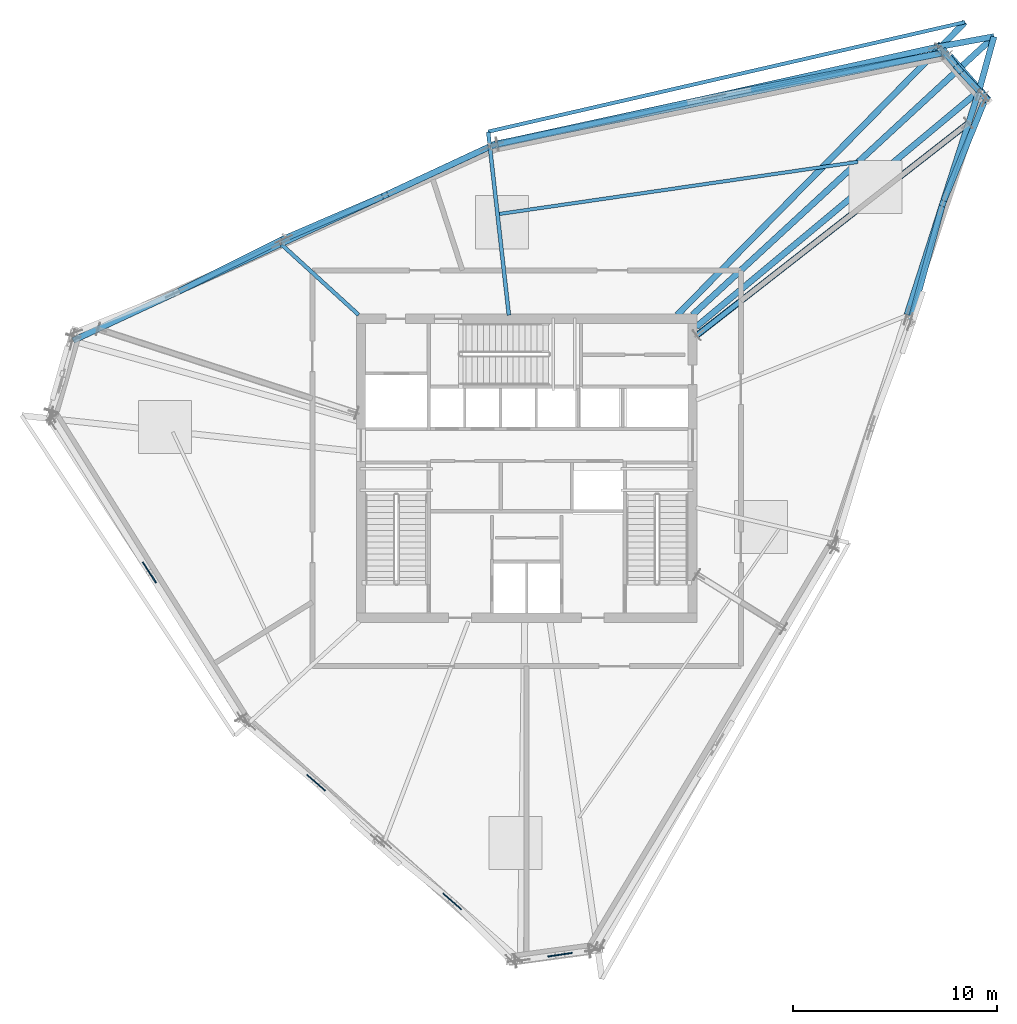
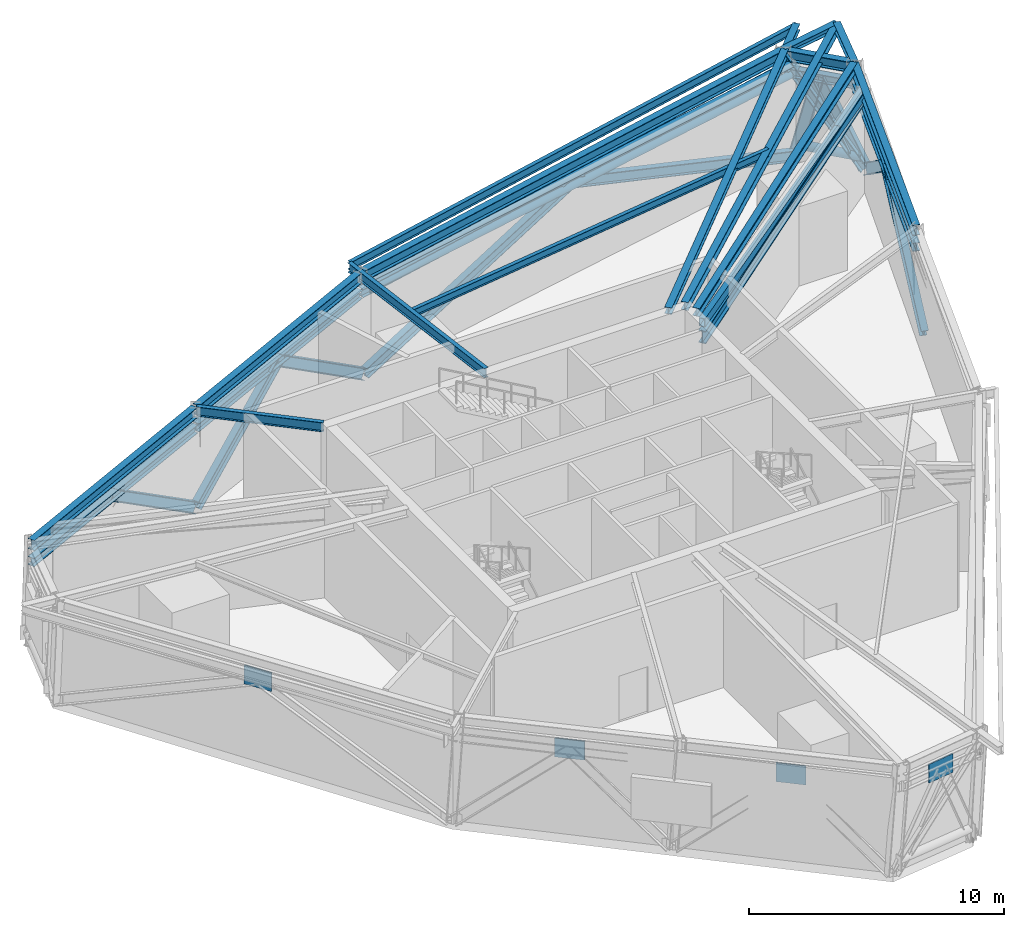
# One storey, part 3 of 15: 20 members, 14 beams, 4 plates.
"""IFC4 building model written with IfcOpenShell, lengths in metres."""

from ifc_helpers import new_model, si_unit, direction, frame, origin, origin_2d, place, context, subcontext, project, spatial, rectangle, hollow_rectangle, hollow_circle, i_section, extrude, source, transform, mapped, material, material_profile, profile_set, type_object, element, save


model = new_model("IFC4")

# Units and contexts
model_context = context("Model", 3, precision=1e-05, world=origin(), true_north=direction((0.0, 1.0)))
body_context = subcontext(model_context, "Body", "Model", "MODEL_VIEW")
ifc_project = project(units=[si_unit("LENGTHUNIT", "METRE"), si_unit("AREAUNIT", "SQUARE_METRE"), si_unit("VOLUMEUNIT", "CUBIC_METRE"), si_unit("PLANEANGLEUNIT", "RADIAN"), si_unit("MASSUNIT", "GRAM", prefix="KILO")], contexts=[model_context])

# Site, building, storey
site_placement = place(None, origin())
site = spatial("IfcSite", under=ifc_project, at=site_placement, CompositionType="ELEMENT")
building_placement = place(site_placement, origin())
building = spatial("IfcBuilding", under=site, at=building_placement, Name="Olszyna Solenne Hotel", CompositionType="ELEMENT")
storey_placement = place(building_placement, frame((0.0, 0.0, 204.300048828125)))
storey = spatial("IfcBuildingStorey", under=building, at=storey_placement, Name="L54", CompositionType="ELEMENT", Elevation=204.300048828125)

# Beams
ifc_material_1 = material(Name="Steel S355J2", Category="steel")
ifc_material_profile_1 = material_profile(ifc_material_1, i_section(OverallWidth=0.300048828125, OverallDepth=0.5, WebThickness=0.014404296875, FlangeThickness=0.028076171875, at=origin_2d()), Name="HEB 500", Category="load-bearing")
ifc_profile_set_1 = profile_set([ifc_material_profile_1], Name="Steel S355J2")
beam_type_1 = type_object("IfcBeamType", Name="BM-S3", PredefinedType="BEAM", material=ifc_profile_set_1)
shared_shape_1 = source(origin(), body_context, "Body", "SweptSolid", [
    extrude(i_section(OverallWidth=0.300048828125, OverallDepth=0.5, WebThickness=0.014404296875, FlangeThickness=0.028076171875, at=origin_2d()), origin(), (0.0, 0.0, 1.0), 2.825927734375),
])
beam_1_placement = place(storey_placement, frame((60.1181640625, 45.12353515625, 4.829833984375), z_axis=(-0.674961430816, 0.737853011724, 0.0), x_axis=(-0.737853011724, -0.674961430816, 0.0)))
element("IfcBeam", 1, at=beam_1_placement, inside=storey, type_object=beam_type_1, Name="Perimeter spandrel beam BM-S3 B-L54-1588", PredefinedType="BEAM", context=body_context, shape_type="MappedRepresentation", body=[
    mapped(shared_shape_1, transform((0.0, 0.0, 0.0), x_axis=(1.0, 0.0, 0.0), y_axis=(0.0, 1.0, 0.0), z_axis=(0.0, 0.0, 1.0), scale=1.0)),
])
shared_shape_2 = source(origin(), body_context, "Body", "SweptSolid", [
    extrude(i_section(OverallWidth=0.300048828125, OverallDepth=0.5, WebThickness=0.014404296875, FlangeThickness=0.028076171875, at=origin_2d()), origin(), (0.0, 0.0, 1.0), 22.419921875),
])
beam_2_placement = place(storey_placement, frame((58.111572265625, 47.239990234375, 4.829833984375), z_axis=(-0.976051842202, -0.217538045716, 0.0), x_axis=(0.217538045716, -0.976051842202, 0.0)))
element("IfcBeam", 2, at=beam_2_placement, inside=storey, type_object=beam_type_1, Name="Perimeter spandrel beam BM-S3 B-L54-1589", PredefinedType="BEAM", context=body_context, shape_type="MappedRepresentation", body=[
    mapped(shared_shape_2, transform((0.0, 0.0, 0.0), x_axis=(1.0, 0.0, 0.0), y_axis=(0.0, 1.0, 0.0), z_axis=(0.0, 0.0, 1.0), scale=1.0)),
])
shared_shape_3 = source(origin(), body_context, "Body", "SweptSolid", [
    extrude(i_section(OverallWidth=0.300048828125, OverallDepth=0.5, WebThickness=0.014404296875, FlangeThickness=0.028076171875, at=origin_2d()), origin(), (0.0, 0.0, 1.0), 11.149658203125),
])
beam_3_placement = place(storey_placement, frame((36.115478515625, 42.32421875, 4.829833984375), z_axis=(-0.906733378988, -0.421704374449, 0.0), x_axis=(0.421704374449, -0.906733378988, 0.0)))
element("IfcBeam", 3, at=beam_3_placement, inside=storey, type_object=beam_type_1, Name="Perimeter spandrel beam BM-S3 B-L54-1590", PredefinedType="BEAM", context=body_context, shape_type="MappedRepresentation", body=[
    mapped(shared_shape_3, transform((0.0, 0.0, 0.0), x_axis=(1.0, 0.0, 0.0), y_axis=(0.0, 1.0, 0.0), z_axis=(0.0, 0.0, 1.0), scale=1.0)),
])
shared_shape_4 = source(origin(), body_context, "Body", "SweptSolid", [
    extrude(i_section(OverallWidth=0.300048828125, OverallDepth=0.5, WebThickness=0.014404296875, FlangeThickness=0.028076171875, at=origin_2d()), origin(), (0.0, 0.0, 1.0), 11.14990234375),
])
beam_4_placement = place(storey_placement, frame((25.896728515625, 37.571533203125, 4.829833984375), z_axis=(-0.906737272824, -0.421696001964, 0.0), x_axis=(0.421696001964, -0.906737272824, 0.0)))
element("IfcBeam", 4, at=beam_4_placement, inside=storey, type_object=beam_type_1, Name="Perimeter spandrel beam BM-S3 B-L54-1591", PredefinedType="BEAM", context=body_context, shape_type="MappedRepresentation", body=[
    mapped(shared_shape_4, transform((0.0, 0.0, 0.0), x_axis=(1.0, 0.0, 0.0), y_axis=(0.0, 1.0, 0.0), z_axis=(0.0, 0.0, 1.0), scale=1.0)),
])
shared_shape_5 = source(origin(), body_context, "Body", "SweptSolid", [
    extrude(i_section(OverallWidth=0.300048828125, OverallDepth=0.5, WebThickness=0.014404296875, FlangeThickness=0.028076171875, at=origin_2d()), origin(), (0.0, 0.0, 1.0), 11.43115234375),
])
beam_5_placement = place(storey_placement, frame((56.6435546875, 34.138916015625, 4.829833984375), z_axis=(0.305899947773, 0.952063664863, 0.0), x_axis=(-0.952063664863, 0.305899947773, 0.0)))
element("IfcBeam", 5, at=beam_5_placement, inside=storey, type_object=beam_type_1, Name="Perimeter spandrel beam BM-S3 B-L54-1599", PredefinedType="BEAM", context=body_context, shape_type="MappedRepresentation", body=[
    mapped(shared_shape_5, transform((0.0, 0.0, 0.0), x_axis=(1.0, 0.0, 0.0), y_axis=(0.0, 1.0, 0.0), z_axis=(0.0, 0.0, 1.0), scale=1.0)),
])
ifc_material_profile_2 = material_profile(ifc_material_1, i_section(OverallWidth=0.300048828125, OverallDepth=0.389892578125, WebThickness=0.010986328125, FlangeThickness=0.01904296875, at=origin_2d()), Name="HEA 400", Category="load-bearing")
ifc_profile_set_2 = profile_set([ifc_material_profile_2], Name="Steel S355J2")
beam_type_2 = type_object("IfcBeamType", Name="BM-G2", PredefinedType="BEAM", material=ifc_profile_set_2)
shared_shape_6 = source(origin(), body_context, "Body", "SweptSolid", [
    extrude(i_section(OverallWidth=0.300048828125, OverallDepth=0.389892578125, WebThickness=0.010986328125, FlangeThickness=0.01904296875, at=origin_2d()), origin(), (0.0, 0.0, 1.0), 17.97021484375),
])
beam_6_placement = place(storey_placement, frame((60.112548828125, 45.040771484375, 4.885009765625), z_axis=(-0.767990716924, -0.640460973611, 0.0), x_axis=(0.640460973611, -0.767990716924, 0.0)))
element("IfcBeam", 6, at=beam_6_placement, inside=storey, type_object=beam_type_2, Name="Radial floor girder BM-G2 B-L54-1600", PredefinedType="BEAM", context=body_context, shape_type="MappedRepresentation", body=[
    mapped(shared_shape_6, transform((0.0, 0.0, 0.0), x_axis=(1.0, 0.0, 0.0), y_axis=(0.0, 1.0, 0.0), z_axis=(0.0, 0.0, 1.0), scale=1.0)),
])
shared_shape_7 = source(origin(), body_context, "Body", "SweptSolid", [
    extrude(i_section(OverallWidth=0.300048828125, OverallDepth=0.389892578125, WebThickness=0.010986328125, FlangeThickness=0.01904296875, at=origin_2d()), origin(), (0.0, 0.0, 1.0), 20.0810546875),
])
beam_7_placement = place(storey_placement, frame((60.8837890625, 47.73876953125, 4.885009765625), z_axis=(-0.73470928241, -0.678382097597, 0.0), x_axis=(0.678382097597, -0.73470928241, 0.0)))
element("IfcBeam", 7, at=beam_7_placement, inside=storey, type_object=beam_type_2, Name="Radial floor girder BM-G2 B-L54-1601", PredefinedType="BEAM", context=body_context, shape_type="MappedRepresentation", body=[
    mapped(shared_shape_7, transform((0.0, 0.0, 0.0), x_axis=(1.0, 0.0, 0.0), y_axis=(0.0, 1.0, 0.0), z_axis=(0.0, 0.0, 1.0), scale=1.0)),
])
ifc_material_profile_3 = material_profile(ifc_material_1, i_section(OverallWidth=0.18994140625, OverallDepth=0.449951171875, WebThickness=0.009521484375, FlangeThickness=0.0146484375, at=origin_2d()), Name="IPE 450", Category="load-bearing")
ifc_profile_set_3 = profile_set([ifc_material_profile_3], Name="Steel S355J2")
beam_type_3 = type_object("IfcBeamType", Name="BM-F4", PredefinedType="BEAM", material=ifc_profile_set_3)
shared_shape_8 = source(origin(), body_context, "Body", "SweptSolid", [
    extrude(i_section(OverallWidth=0.18994140625, OverallDepth=0.449951171875, WebThickness=0.009521484375, FlangeThickness=0.0146484375, at=origin_2d()), origin(), (0.0, 0.0, 1.0), 9.031005859375),
])
beam_8_placement = place(storey_placement, frame((36.1142578125, 43.07421875, 4.85498046875), z_axis=(0.112297639901, -0.993674614787, 0.0), x_axis=(0.993674614787, 0.112297639901, 0.0)))
element("IfcBeam", 8, at=beam_8_placement, inside=storey, type_object=beam_type_3, Name="Radial floor girder BM-F4 B-L54-1602", PredefinedType="BEAM", context=body_context, shape_type="MappedRepresentation", body=[
    mapped(shared_shape_8, transform((0.0, 0.0, 0.0), x_axis=(1.0, 0.0, 0.0), y_axis=(0.0, 1.0, 0.0), z_axis=(0.0, 0.0, 1.0), scale=1.0)),
])
shared_shape_9 = source(origin(), body_context, "Body", "SweptSolid", [
    extrude(i_section(OverallWidth=0.18994140625, OverallDepth=0.449951171875, WebThickness=0.009521484375, FlangeThickness=0.0146484375, at=origin_2d()), origin(), (0.0, 0.0, 1.0), 5.10302734375),
])
beam_9_placement = place(storey_placement, frame((25.99560546875, 37.556396484375, 4.85498046875), z_axis=(0.73859423995, -0.674150241944, 0.0), x_axis=(0.674150241944, 0.73859423995, 0.0)))
element("IfcBeam", 9, at=beam_9_placement, inside=storey, type_object=beam_type_3, Name="Radial floor girder BM-F4 B-L54-1603", PredefinedType="BEAM", context=body_context, shape_type="MappedRepresentation", body=[
    mapped(shared_shape_9, transform((0.0, 0.0, 0.0), x_axis=(1.0, 0.0, 0.0), y_axis=(0.0, 1.0, 0.0), z_axis=(0.0, 0.0, 1.0), scale=1.0)),
])
ifc_material_profile_4 = material_profile(ifc_material_1, i_section(OverallWidth=0.300048828125, OverallDepth=0.31005859375, WebThickness=0.009033203125, FlangeThickness=0.015380859375, at=origin_2d()), Name="HEA 320", Category="load-bearing")
ifc_profile_set_4 = profile_set([ifc_material_profile_4], Name="Steel S355J2")
beam_type_4 = type_object("IfcBeamType", Name="BM-G3", PredefinedType="BEAM", material=ifc_profile_set_4)
shared_shape_10 = source(origin(), body_context, "Body", "SweptSolid", [
    extrude(i_section(OverallWidth=0.300048828125, OverallDepth=0.31005859375, WebThickness=0.009033203125, FlangeThickness=0.015380859375, at=origin_2d()), origin(), (0.0, 0.0, 1.0), 2.773681640625),
])
for number, where, z_axis, x_axis, name in (
    (10, (60.15869140625, 45.0791015625, 4.925048828125), (0.26671305421, 0.963775983678, 0.0), (-0.963775983678, 0.26671305421, 0.0), "Prism side edge beam BM-G3 B-L54-1612"),
    (11, (58.170166015625, 47.2529296875, 4.925048828125), (0.983665053962, 0.180008504282, 0.0), (-0.180008504282, 0.983665053962, 0.0), "Prism side edge beam BM-G3 B-L54-1613"),
):
    element("IfcBeam", number, at=place(storey_placement, frame(where, z_axis=z_axis, x_axis=x_axis)), inside=storey, type_object=beam_type_4, Name=name, PredefinedType="BEAM", context=body_context, shape_type="MappedRepresentation", body=[
        mapped(shared_shape_10, transform((0.0, 0.0, 0.0), x_axis=(1.0, 0.0, 0.0), y_axis=(0.0, 1.0, 0.0), z_axis=(0.0, 0.0, 1.0), scale=1.0)),
    ])
shared_shape_11 = source(origin(), body_context, "Body", "SweptSolid", [
    extrude(i_section(OverallWidth=0.300048828125, OverallDepth=0.31005859375, WebThickness=0.009033203125, FlangeThickness=0.015380859375, at=origin_2d()), origin(), (0.0, 0.0, 1.0), 20.11279296875),
])
beam_10_placement = place(storey_placement, frame((59.478515625, 48.461181640625, 4.925048828125), z_axis=(-0.70083389387, -0.713324507643, 0.0), x_axis=(0.713324507643, -0.70083389387, 0.0)))
element("IfcBeam", 12, at=beam_10_placement, inside=storey, type_object=beam_type_4, Name="Loggia/prism radial back-span girder BM-G3 B-L54-1614", PredefinedType="BEAM", context=body_context, shape_type="MappedRepresentation", body=[
    mapped(shared_shape_11, transform((0.0, 0.0, 0.0), x_axis=(1.0, 0.0, 0.0), y_axis=(0.0, 1.0, 0.0), z_axis=(0.0, 0.0, 1.0), scale=1.0)),
])
ifc_material_profile_5 = material_profile(ifc_material_1, i_section(OverallWidth=0.169921875, OverallDepth=0.360107421875, WebThickness=0.008056640625, FlangeThickness=0.0126953125, at=origin_2d()), Name="IPE 360", Category="load-bearing")
ifc_profile_set_5 = profile_set([ifc_material_profile_5], Name="Steel S355J2")
beam_type_5 = type_object("IfcBeamType", Name="JS-01", PredefinedType="JOIST", material=ifc_profile_set_5)
shared_shape_12 = source(origin(), body_context, "Body", "SweptSolid", [
    extrude(i_section(OverallWidth=0.169921875, OverallDepth=0.360107421875, WebThickness=0.008056640625, FlangeThickness=0.0126953125, at=origin_2d()), origin(), (0.0, 0.0, 1.0), 17.8291015625),
])
beam_11_placement = place(storey_placement, frame((54.23291015625, 41.613037109375, 4.89990234375), z_axis=(-0.989611497149, -0.143767467497, 0.0), x_axis=(0.143767467497, -0.989611497149, 0.0)))
element("IfcBeam", 13, at=beam_11_placement, inside=storey, type_object=beam_type_5, Name="Secondary composite floor joist JS-01 B-L54-1615", PredefinedType="JOIST", context=body_context, shape_type="MappedRepresentation", body=[
    mapped(shared_shape_12, transform((0.0, 0.0, 0.0), x_axis=(1.0, 0.0, 0.0), y_axis=(0.0, 1.0, 0.0), z_axis=(0.0, 0.0, 1.0), scale=1.0)),
])
ifc_material_profile_6 = material_profile(ifc_material_1, i_section(OverallWidth=0.179931640625, OverallDepth=0.39990234375, WebThickness=0.008544921875, FlangeThickness=0.013427734375, at=origin_2d()), Name="IPE 400", Category="load-bearing")
ifc_profile_set_6 = profile_set([ifc_material_profile_6], Name="Steel S355J2")
beam_type_6 = type_object("IfcBeamType", Name="BM-F5", PredefinedType="BEAM", material=ifc_profile_set_6)
shared_shape_13 = source(origin(), body_context, "Body", "SweptSolid", [
    extrude(i_section(OverallWidth=0.179931640625, OverallDepth=0.39990234375, WebThickness=0.008544921875, FlangeThickness=0.013427734375, at=origin_2d()), origin(), (0.0, 0.0, 1.0), 23.974853515625),
])
beam_12_placement = place(storey_placement, frame((59.478515625, 48.461181640625, 4.8798828125), z_axis=(-0.974619810899, -0.223866532121, 0.0), x_axis=(0.223866532121, -0.974619810899, 0.0)))
element("IfcBeam", 14, at=beam_12_placement, inside=storey, type_object=beam_type_6, Name="Loggia outer edge beam BM-F5 B-L54-1618", PredefinedType="BEAM", context=body_context, shape_type="MappedRepresentation", body=[
    mapped(shared_shape_13, transform((0.0, 0.0, 0.0), x_axis=(1.0, 0.0, 0.0), y_axis=(0.0, 1.0, 0.0), z_axis=(0.0, 0.0, 1.0), scale=1.0)),
])

# Members
ifc_material_2 = material(Name="Steel S460M", Category="steel")
ifc_material_profile_7 = material_profile(ifc_material_2, i_section(OverallWidth=0.40087890625, OverallDepth=0.39892578125, WebThickness=0.02197265625, FlangeThickness=0.034423828125, at=origin_2d()), Name="HD 400x314", Category="load-bearing")
ifc_profile_set_7 = profile_set([ifc_material_profile_7], Name="Steel S460M")
member_type_1 = type_object("IfcMemberType", Name="BR-T3", PredefinedType="BRACE", material=ifc_profile_set_7)
shared_shape_14 = source(origin(), body_context, "Body", "SweptSolid", [
    extrude(i_section(OverallWidth=0.40087890625, OverallDepth=0.39892578125, WebThickness=0.02197265625, FlangeThickness=0.034423828125, at=origin_2d()), origin(), (0.0, 0.0, 1.0), 5.888427734375),
])
member_1_placement = place(storey_placement, frame((60.49169921875, 44.744140625, 0.010009765625), z_axis=(-0.39424648013, 0.426046569546, 0.814281298743), x_axis=(-0.733967689282, -0.679184386666, 0.0)))
element("IfcMember", 15, at=member_1_placement, inside=storey, type_object=member_type_1, Name="Perimeter braced-tube diagonal BR-T3 BR-L54-1", PredefinedType="BRACE", context=body_context, shape_type="MappedRepresentation", body=[
    mapped(shared_shape_14, transform((0.0, 0.0, 0.0), x_axis=(1.0, 0.0, 0.0), y_axis=(0.0, 1.0, 0.0), z_axis=(0.0, 0.0, 1.0), scale=1.0)),
])
ifc_material_profile_8 = material_profile(ifc_material_1, i_section(OverallWidth=0.300048828125, OverallDepth=0.39990234375, WebThickness=0.013427734375, FlangeThickness=0.02392578125, at=origin_2d()), Name="HEB 400", Category="load-bearing")
ifc_profile_set_8 = profile_set([ifc_material_profile_8], Name="Steel S355J2")
member_type_2 = type_object("IfcMemberType", Name="CH-TR2", PredefinedType="CHORD", material=ifc_profile_set_8)
shared_shape_15 = source(origin(), body_context, "Body", "SweptSolid", [
    extrude(i_section(OverallWidth=0.300048828125, OverallDepth=0.39990234375, WebThickness=0.013427734375, FlangeThickness=0.02392578125, at=origin_2d()), origin(), (0.0, 0.0, 1.0), 2.865966796875),
])
member_2_placement = place(storey_placement, frame((60.131591796875, 45.108642578125, 4.030029296875), z_axis=(-0.6749295941, 0.737882133547, 0.0), x_axis=(-0.737882133547, -0.6749295941, 0.0)))
element("IfcMember", 16, at=member_2_placement, inside=storey, type_object=member_type_2, Name="Belt truss upper chord CH-TR2 CH-L54-01", PredefinedType="CHORD", context=body_context, shape_type="MappedRepresentation", body=[
    mapped(shared_shape_15, transform((0.0, 0.0, 0.0), x_axis=(1.0, 0.0, 0.0), y_axis=(0.0, 1.0, 0.0), z_axis=(0.0, 0.0, 1.0), scale=1.0)),
])
ifc_material_profile_9 = material_profile(ifc_material_1, i_section(OverallWidth=0.300048828125, OverallDepth=0.5, WebThickness=0.014404296875, FlangeThickness=0.028076171875, at=origin_2d()), Name="HEB 500", Category="load-bearing")
ifc_profile_set_9 = profile_set([ifc_material_profile_9], Name="Steel S355J2")
member_type_3 = type_object("IfcMemberType", Name="BR-BL1", PredefinedType="BRACE", material=ifc_profile_set_9)
shared_shape_16 = source(origin(), body_context, "Body", "SweptSolid", [
    extrude(i_section(OverallWidth=0.300048828125, OverallDepth=0.5, WebThickness=0.014404296875, FlangeThickness=0.028076171875, at=origin_2d()), origin(), (0.0, 0.0, 1.0), 4.439453125),
])
member_3_placement = place(storey_placement, frame((60.465087890625, 44.774169921875, 0.02001953125), z_axis=(-0.292949359184, 0.313516856901, 0.903265106927), x_axis=(-0.730667307132, -0.682733686212, 0.0)))
element("IfcMember", 17, at=member_3_placement, inside=storey, type_object=member_type_3, Name="Belt truss diagonal BR-BL1 BT-L54-01-1", PredefinedType="BRACE", context=body_context, shape_type="MappedRepresentation", body=[
    mapped(shared_shape_16, transform((0.0, 0.0, 0.0), x_axis=(1.0, 0.0, 0.0), y_axis=(0.0, 1.0, 0.0), z_axis=(0.0, 0.0, 1.0), scale=1.0)),
])
shared_shape_17 = source(origin(), body_context, "Body", "SweptSolid", [
    extrude(i_section(OverallWidth=0.300048828125, OverallDepth=0.5, WebThickness=0.014404296875, FlangeThickness=0.028076171875, at=origin_2d()), origin(), (0.0, 0.0, 1.0), 4.133056640625),
])
member_4_placement = place(storey_placement, frame((58.538818359375, 46.94775390625, 0.02001953125), z_axis=(0.151394011363, -0.189139143341, 0.97020937832), x_axis=(0.780702272483, 0.62490316189, 0.0)))
element("IfcMember", 18, at=member_4_placement, inside=storey, type_object=member_type_3, Name="Belt truss diagonal BR-BL1 BT-L54-01-2", PredefinedType="BRACE", context=body_context, shape_type="MappedRepresentation", body=[
    mapped(shared_shape_17, transform((0.0, 0.0, 0.0), x_axis=(1.0, 0.0, 0.0), y_axis=(0.0, 1.0, 0.0), z_axis=(0.0, 0.0, 1.0), scale=1.0)),
])
shared_shape_18 = source(origin(), body_context, "Body", "SweptSolid", [
    extrude(i_section(OverallWidth=0.300048828125, OverallDepth=0.39990234375, WebThickness=0.013427734375, FlangeThickness=0.02392578125, at=origin_2d()), origin(), (0.0, 0.0, 1.0), 22.4599609375),
])
member_5_placement = place(storey_placement, frame((58.131103515625, 47.244384765625, 4.030029296875), z_axis=(-0.976051057657, -0.217541565789, 0.0), x_axis=(0.217541565789, -0.976051057657, 0.0)))
element("IfcMember", 19, at=member_5_placement, inside=storey, type_object=member_type_2, Name="Belt truss upper chord CH-TR2 CH-L54-02", PredefinedType="CHORD", context=body_context, shape_type="MappedRepresentation", body=[
    mapped(shared_shape_18, transform((0.0, 0.0, 0.0), x_axis=(1.0, 0.0, 0.0), y_axis=(0.0, 1.0, 0.0), z_axis=(0.0, 0.0, 1.0), scale=1.0)),
])
shared_shape_19 = source(origin(), body_context, "Body", "SweptSolid", [
    extrude(i_section(OverallWidth=0.300048828125, OverallDepth=0.5, WebThickness=0.014404296875, FlangeThickness=0.028076171875, at=origin_2d()), origin(), (0.0, 0.0, 1.0), 12.1875),
])
member_6_placement = place(storey_placement, frame((58.472900390625, 46.969482421875, 0.02001953125), z_axis=(-0.927410172421, -0.177905861009, 0.329028686755), x_axis=(0.18839575026, -0.982093193788, 0.0)))
element("IfcMember", 20, at=member_6_placement, inside=storey, type_object=member_type_3, Name="Belt truss diagonal BR-BL1 BT-L54-02-1", PredefinedType="BRACE", context=body_context, shape_type="MappedRepresentation", body=[
    mapped(shared_shape_19, transform((0.0, 0.0, 0.0), x_axis=(1.0, 0.0, 0.0), y_axis=(0.0, 1.0, 0.0), z_axis=(0.0, 0.0, 1.0), scale=1.0)),
])
shared_shape_20 = source(origin(), body_context, "Body", "SweptSolid", [
    extrude(i_section(OverallWidth=0.300048828125, OverallDepth=0.5, WebThickness=0.014404296875, FlangeThickness=0.028076171875, at=origin_2d()), origin(), (0.0, 0.0, 1.0), 11.690673828125),
])
member_7_placement = place(storey_placement, frame((36.439208984375, 42.46923828125, 0.02001953125), z_axis=(0.91790704234, 0.199477819275, 0.343009127052), x_axis=(-0.212361342202, 0.977191209712, 0.0)))
element("IfcMember", 21, at=member_7_placement, inside=storey, type_object=member_type_3, Name="Belt truss diagonal BR-BL1 BT-L54-02-2", PredefinedType="BRACE", context=body_context, shape_type="MappedRepresentation", body=[
    mapped(shared_shape_20, transform((0.0, 0.0, 0.0), x_axis=(1.0, 0.0, 0.0), y_axis=(0.0, 1.0, 0.0), z_axis=(0.0, 0.0, 1.0), scale=1.0)),
])
shared_shape_21 = source(origin(), body_context, "Body", "SweptSolid", [
    extrude(i_section(OverallWidth=0.300048828125, OverallDepth=0.39990234375, WebThickness=0.013427734375, FlangeThickness=0.02392578125, at=origin_2d()), origin(), (0.0, 0.0, 1.0), 11.18994140625),
])
for number, where, z_axis, x_axis, name in (
    (22, (36.1337890625, 42.332763671875, 4.030029296875), (-0.906727514529, -0.421716983766, 0.0), (0.421716983766, -0.906727514529, 0.0), "Belt truss upper chord CH-TR2 CH-L54-03"),
    (23, (25.914794921875, 37.580078125, 4.030029296875), (-0.906727514529, -0.421716983766, 0.0), (0.421716983766, -0.906727514529, 0.0), "Belt truss upper chord CH-TR2 CH-L54-04"),
):
    element("IfcMember", number, at=place(storey_placement, frame(where, z_axis=z_axis, x_axis=x_axis)), inside=storey, type_object=member_type_2, Name=name, PredefinedType="CHORD", context=body_context, shape_type="MappedRepresentation", body=[
        mapped(shared_shape_21, transform((0.0, 0.0, 0.0), x_axis=(1.0, 0.0, 0.0), y_axis=(0.0, 1.0, 0.0), z_axis=(0.0, 0.0, 1.0), scale=1.0)),
    ])
shared_shape_22 = source(origin(), body_context, "Body", "SweptSolid", [
    extrude(i_section(OverallWidth=0.300048828125, OverallDepth=0.5, WebThickness=0.014404296875, FlangeThickness=0.028076171875, at=origin_2d()), origin(), (0.0, 0.0, 1.0), 7.0927734375),
])
member_8_placement = place(storey_placement, frame((36.36328125, 42.44482421875, 0.02001953125), z_axis=(-0.747626963553, -0.34844510829, 0.565367075339), x_axis=(0.422439931335, -0.906390922513, 0.0)))
element("IfcMember", 24, at=member_8_placement, inside=storey, type_object=member_type_3, Name="Belt truss diagonal BR-BL1 BT-L54-03-1", PredefinedType="BRACE", context=body_context, shape_type="MappedRepresentation", body=[
    mapped(shared_shape_22, transform((0.0, 0.0, 0.0), x_axis=(1.0, 0.0, 0.0), y_axis=(0.0, 1.0, 0.0), z_axis=(0.0, 0.0, 1.0), scale=1.0)),
])
shared_shape_23 = source(origin(), body_context, "Body", "SweptSolid", [
    extrude(i_section(OverallWidth=0.300048828125, OverallDepth=0.5, WebThickness=0.014404296875, FlangeThickness=0.028076171875, at=origin_2d()), origin(), (0.0, 0.0, 1.0), 6.690185546875),
])
member_9_placement = place(storey_placement, frame((26.140625, 37.8583984375, 0.02001953125), z_axis=(0.735390561732, 0.316131819982, 0.599384179062), x_axis=(-0.394936947913, 0.918708227444, 0.0)))
element("IfcMember", 25, at=member_9_placement, inside=storey, type_object=member_type_3, Name="Belt truss diagonal BR-BL1 BT-L54-03-2", PredefinedType="BRACE", context=body_context, shape_type="MappedRepresentation", body=[
    mapped(shared_shape_23, transform((0.0, 0.0, 0.0), x_axis=(1.0, 0.0, 0.0), y_axis=(0.0, 1.0, 0.0), z_axis=(0.0, 0.0, 1.0), scale=1.0)),
])
shared_shape_24 = source(origin(), body_context, "Body", "SweptSolid", [
    extrude(i_section(OverallWidth=0.300048828125, OverallDepth=0.5, WebThickness=0.014404296875, FlangeThickness=0.028076171875, at=origin_2d()), origin(), (0.0, 0.0, 1.0), 7.08349609375),
])
member_10_placement = place(storey_placement, frame((26.067626953125, 37.82568359375, 0.02001953125), z_axis=(-0.737751083029, -0.367755386869, 0.566108924959), x_axis=(0.446126172356, -0.894970076784, 0.0)))
element("IfcMember", 26, at=member_10_placement, inside=storey, type_object=member_type_3, Name="Belt truss diagonal BR-BL1 BT-L54-04-1", PredefinedType="BRACE", context=body_context, shape_type="MappedRepresentation", body=[
    mapped(shared_shape_24, transform((0.0, 0.0, 0.0), x_axis=(1.0, 0.0, 0.0), y_axis=(0.0, 1.0, 0.0), z_axis=(0.0, 0.0, 1.0), scale=1.0)),
])
shared_shape_25 = source(origin(), body_context, "Body", "SweptSolid", [
    extrude(i_section(OverallWidth=0.300048828125, OverallDepth=0.39990234375, WebThickness=0.013427734375, FlangeThickness=0.02392578125, at=origin_2d()), origin(), (0.0, 0.0, 1.0), 11.470947265625),
])
member_11_placement = place(storey_placement, frame((56.637451171875, 34.119873046875, 4.030029296875), z_axis=(0.30590377122, 0.952062436373, 0.0), x_axis=(-0.952062436373, 0.30590377122, 0.0)))
element("IfcMember", 27, at=member_11_placement, inside=storey, type_object=member_type_2, Name="Belt truss upper chord CH-TR2 CH-L54-12", PredefinedType="CHORD", context=body_context, shape_type="MappedRepresentation", body=[
    mapped(shared_shape_25, transform((0.0, 0.0, 0.0), x_axis=(1.0, 0.0, 0.0), y_axis=(0.0, 1.0, 0.0), z_axis=(0.0, 0.0, 1.0), scale=1.0)),
])
shared_shape_26 = source(origin(), body_context, "Body", "SweptSolid", [
    extrude(i_section(OverallWidth=0.300048828125, OverallDepth=0.5, WebThickness=0.014404296875, FlangeThickness=0.028076171875, at=origin_2d()), origin(), (0.0, 0.0, 1.0), 7.19384765625),
])
member_12_placement = place(storey_placement, frame((56.81640625, 33.819580078125, 0.02001953125), z_axis=(0.219031096483, 0.800817598963, 0.557419547526), x_axis=(-0.964572073207, 0.263819475377, 0.0)))
element("IfcMember", 28, at=member_12_placement, inside=storey, type_object=member_type_3, Name="Belt truss diagonal BR-BL1 BT-L54-12-1", PredefinedType="BRACE", context=body_context, shape_type="MappedRepresentation", body=[
    mapped(shared_shape_26, transform((0.0, 0.0, 0.0), x_axis=(1.0, 0.0, 0.0), y_axis=(0.0, 1.0, 0.0), z_axis=(0.0, 0.0, 1.0), scale=1.0)),
])
shared_shape_27 = source(origin(), body_context, "Body", "SweptSolid", [
    extrude(i_section(OverallWidth=0.300048828125, OverallDepth=0.5, WebThickness=0.014404296875, FlangeThickness=0.028076171875, at=origin_2d()), origin(), (0.0, 0.0, 1.0), 6.83447265625),
])
member_13_placement = place(storey_placement, frame((60.47900390625, 44.706298828125, 0.02001953125), z_axis=(-0.305356033336, -0.749994141305, 0.586742261059), x_axis=(0.92617739877, -0.377088087863, 0.0)))
element("IfcMember", 29, at=member_13_placement, inside=storey, type_object=member_type_3, Name="Belt truss diagonal BR-BL1 BT-L54-12-2", PredefinedType="BRACE", context=body_context, shape_type="MappedRepresentation", body=[
    mapped(shared_shape_27, transform((0.0, 0.0, 0.0), x_axis=(1.0, 0.0, 0.0), y_axis=(0.0, 1.0, 0.0), z_axis=(0.0, 0.0, 1.0), scale=1.0)),
])
ifc_material_profile_10 = material_profile(ifc_material_2, i_section(OverallWidth=0.304931640625, OverallDepth=0.6201171875, WebThickness=0.02099609375, FlangeThickness=0.0400390625, at=origin_2d()), Name="HEM 600", Category="load-bearing")
ifc_profile_set_10 = profile_set([ifc_material_profile_10], Name="Steel S460M")
member_type_4 = type_object("IfcMemberType", Name="BR-OU1", PredefinedType="BRACE", material=ifc_profile_set_10)
shared_shape_28 = source(origin(), body_context, "Body", "SweptSolid", [
    extrude(i_section(OverallWidth=0.304931640625, OverallDepth=0.6201171875, WebThickness=0.02099609375, FlangeThickness=0.0400390625, at=origin_2d()), origin(), (0.0, 0.0, 1.0), 16.882568359375),
])
member_14_placement = place(storey_placement, frame((46.35009765625, 33.123779296875, 3.929931640625), z_axis=(0.787333869177, 0.615131247924, 0.041459935769), x_axis=(-0.615660613108, 0.788011427244, 0.0)))
element("IfcMember", 30, at=member_14_placement, inside=storey, type_object=member_type_4, Name="Outrigger truss brace BR-OU1 OU-L54-02", PredefinedType="BRACE", context=body_context, shape_type="MappedRepresentation", body=[
    mapped(shared_shape_28, transform((0.0, 0.0, 0.0), x_axis=(1.0, 0.0, 0.0), y_axis=(0.0, 1.0, 0.0), z_axis=(0.0, 0.0, 1.0), scale=1.0)),
])
ifc_material_profile_11 = material_profile(ifc_material_1, hollow_rectangle(XDim=0.25, YDim=0.39990234375, WallThickness=0.02001953125, at=origin_2d()), Name="RHS 400x250x20", Category="load-bearing")
ifc_profile_set_11 = profile_set([ifc_material_profile_11], Name="Steel S355J2")
member_type_5 = type_object("IfcMemberType", Name="CH-BL1", PredefinedType="CHORD", material=ifc_profile_set_11)
shared_shape_29 = source(origin(), body_context, "Body", "SweptSolid", [
    extrude(hollow_rectangle(XDim=0.25, YDim=0.39990234375, WallThickness=0.02001953125, at=origin_2d()), origin(), (0.0, 0.0, 1.0), 16.8681640625),
])
member_15_placement = place(storey_placement, frame((46.35009765625, 33.123779296875, 4.6298828125), z_axis=(0.788011427244, 0.615660613108, 0.0), x_axis=(-0.615660613108, 0.788011427244, 0.0)))
element("IfcMember", 31, at=member_15_placement, inside=storey, type_object=member_type_5, Name="Outrigger collector chord CH-BL1 OC-L54-02", PredefinedType="CHORD", context=body_context, shape_type="MappedRepresentation", body=[
    mapped(shared_shape_29, transform((0.0, 0.0, 0.0), x_axis=(1.0, 0.0, 0.0), y_axis=(0.0, 1.0, 0.0), z_axis=(0.0, 0.0, 1.0), scale=1.0)),
])
ifc_material_profile_12 = material_profile(ifc_material_1, hollow_circle(Radius=0.203125, WallThickness=0.01611328125, at=origin_2d()), Name="CHS 406.4x16", Category="load-bearing")
ifc_profile_set_12 = profile_set([ifc_material_profile_12], Name="Steel S355J2")
member_type_6 = type_object("IfcMemberType", Name="BR-TB3", PredefinedType="BRACE", material=ifc_profile_set_12)
shared_shape_30 = source(origin(), body_context, "Body", "SweptSolid", [
    extrude(hollow_circle(Radius=0.203125, WallThickness=0.01611328125, at=origin_2d()), origin(), (0.0, 0.0, 1.0), 2.62451171875),
])
member_16_placement = place(storey_placement, frame((60.372314453125, 44.87890625, 0.550048828125), z_axis=(-0.663266073313, 0.748383668977, 0.0), x_axis=(-0.748383668977, -0.663266073313, 0.0)))
element("IfcMember", 32, at=member_16_placement, inside=storey, type_object=member_type_6, Name="Belt collar tie BR-TB3 CTB-L54-1", PredefinedType="BRACE", context=body_context, shape_type="MappedRepresentation", body=[
    mapped(shared_shape_30, transform((0.0, 0.0, 0.0), x_axis=(1.0, 0.0, 0.0), y_axis=(0.0, 1.0, 0.0), z_axis=(0.0, 0.0, 1.0), scale=1.0)),
])
ifc_material_profile_13 = material_profile(ifc_material_1, hollow_circle(Radius=0.161865234375, WallThickness=0.012451171875, at=origin_2d()), Name="CHS 323.9x12.5", Category="load-bearing")
ifc_profile_set_13 = profile_set([ifc_material_profile_13], Name="Steel S355J2")
member_type_7 = type_object("IfcMemberType", Name="ST-WT1", PredefinedType="STRUT", material=ifc_profile_set_13)
shared_shape_31 = source(origin(), body_context, "Body", "SweptSolid", [
    extrude(hollow_circle(Radius=0.161865234375, WallThickness=0.012451171875, at=origin_2d()), origin(), (0.0, 0.0, 1.0), 22.20849609375),
])
for number, where, z_axis, x_axis, name in (
    (33, (58.335693359375, 46.941650390625, 3.929931640625), (-0.979771695189, -0.200118528142, 0.0), (0.200118528142, -0.979771695189, 0.0), "Wind-turbine slot cradle strut ST-WT1 WT-L54-11"),
    (34, (58.335693359375, 46.941650390625, 4.429931640625), (-0.979771695189, -0.200118528142, 0.0), (0.200118528142, -0.979771695189, 0.0), "Wind-turbine slot cradle strut ST-WT1 WT-L54-12"),
):
    element("IfcMember", number, at=place(storey_placement, frame(where, z_axis=z_axis, x_axis=x_axis)), inside=storey, type_object=member_type_7, Name=name, PredefinedType="STRUT", context=body_context, shape_type="MappedRepresentation", body=[
        mapped(shared_shape_31, transform((0.0, 0.0, 0.0), x_axis=(1.0, 0.0, 0.0), y_axis=(0.0, 1.0, 0.0), z_axis=(0.0, 0.0, 1.0), scale=1.0)),
    ])

# Plates
plate_type = type_object("IfcPlateType", Name="GP-ND1", PredefinedType="USERDEFINED", material=ifc_material_2)
shared_shape_32 = source(origin(), body_context, "Body", "SweptSolid", [
    extrude(rectangle(XDim=1.199951171875, YDim=0.06005859375, at=origin_2d()), origin(), (0.0, 0.0, 1.0), 0.89990234375),
])
for number, where, z_axis, x_axis, name in (
    (35, (19.508056640625, 21.495361328125, 3.580078125), (0.0, 0.0, 1.0), (0.546978918409, -0.837146380758, 0.0), "Belt truss node gusset plate TN-L54-06"),
    (36, (27.68310546875, 11.18310546875, 3.580078125), (0.0, 0.0, 1.0), (0.754022143124, -0.656848999146, 0.0), "Belt truss node gusset plate TN-L54-07"),
    (37, (34.354736328125, 5.3720703125, 3.580078125), (0.0, 0.0, 1.0), (0.754022143124, -0.656848999146, 0.0), "Belt truss node gusset plate TN-L54-08"),
    (38, (39.635009765625, 2.7607421875, 3.580078125), (0.0, 0.0, 1.0), (0.988756381047, 0.149535343444, 0.0), "Belt truss node gusset plate TN-L54-09"),
):
    element("IfcPlate", number, at=place(storey_placement, frame(where, z_axis=z_axis, x_axis=x_axis)), inside=storey, type_object=plate_type, Name=name, ObjectType="GUSSET_PLATE", PredefinedType="USERDEFINED", context=body_context, shape_type="MappedRepresentation", body=[
        mapped(shared_shape_32, transform((0.0, 0.0, 0.0), x_axis=(1.0, 0.0, 0.0), y_axis=(0.0, 1.0, 0.0), z_axis=(0.0, 0.0, 1.0), scale=1.0)),
    ])

save(model, "model.ifc")
